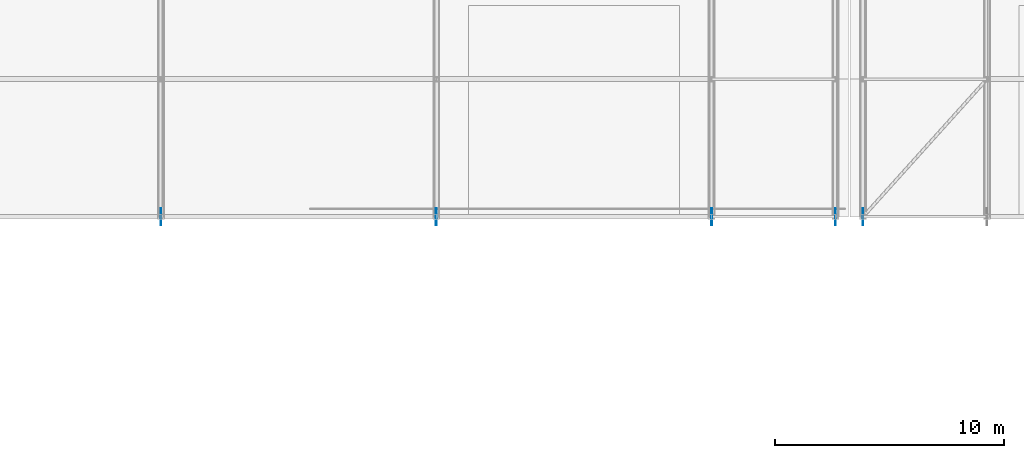
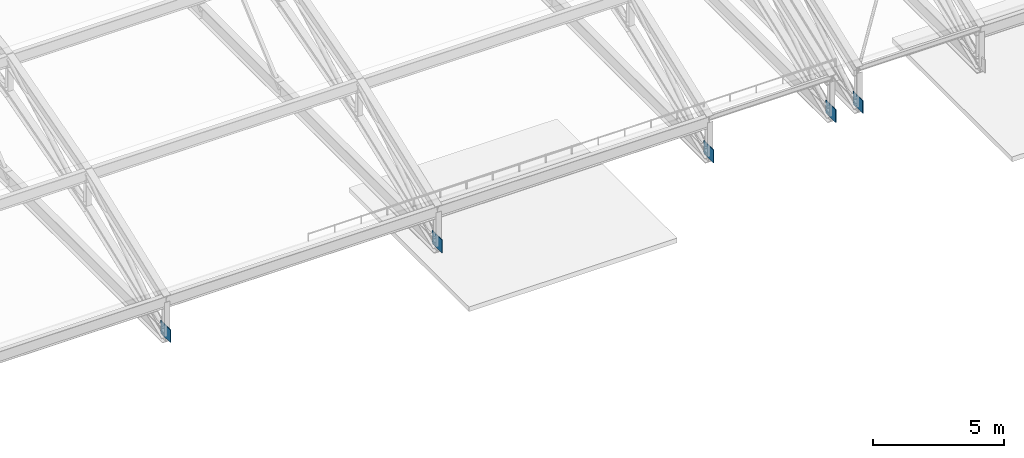
# One storey, part 177 of 204: 5 plates.
"""IFC4 building model written with IfcOpenShell, lengths in metres."""

from ifc_helpers import new_model, si_unit, direction, frame, origin, origin_2d, place, context, subcontext, project, spatial, rectangle, extrude, material, layer, layer_set, type_object, element, save


model = new_model("IFC4")

# Units and contexts
model_context = context("Model", 3, precision=1e-05, world=origin(), true_north=direction((0.0, 1.0)))
body_context = subcontext(model_context, "Body", "Model", "MODEL_VIEW")
ifc_project = project(units=[si_unit("LENGTHUNIT", "METRE"), si_unit("AREAUNIT", "SQUARE_METRE"), si_unit("VOLUMEUNIT", "CUBIC_METRE"), si_unit("PLANEANGLEUNIT", "RADIAN"), si_unit("MASSUNIT", "GRAM", prefix="KILO")], contexts=[model_context])

# Site, building, storey
site_placement = place(None, origin())
site = spatial("IfcSite", under=ifc_project, at=site_placement, CompositionType="ELEMENT")
building_placement = place(site_placement, origin())
building = spatial("IfcBuilding", under=site, at=building_placement, Name="Zilviju Railside Exhibition Hall", CompositionType="ELEMENT")
storey_placement = place(building_placement, frame((0.0, 0.0, 21.0)))
storey = spatial("IfcBuildingStorey", under=building, at=storey_placement, Name="RF", CompositionType="ELEMENT", Elevation=21.0)

# Plates
ifc_material = material(Name="Steel S355ML", Category="steel")
ifc_layer = layer(ifc_material, 0.034912109375)
ifc_layer_set = layer_set([ifc_layer], Name="Steel S355ML")
plate_type = type_object("IfcPlateType", Name="PLATE-GP-35", PredefinedType="SHEET", material=ifc_layer_set)
for number, where, z_axis, x_axis, name in (
    (1, (96.0, 84.0, -3.75), (0.0, 0.0, 1.0), (1.0, 0.0, 0.0), "V2 Arch Pin-Shoe Gusset Plate X=96.0"),
    (2, (108.0, 84.0, -3.75), (0.0, 0.0, 1.0), (1.0, 0.0, 0.0), "V2 Arch Pin-Shoe Gusset Plate X=108.0"),
    (3, (120.0, 84.0, -3.75), (0.0, 0.0, 1.0), (1.0, 0.0, 0.0), "V2 Arch Pin-Shoe Gusset Plate X=120.0"),
    (4, (125.39990234375, 84.0, -3.75), (0.0, 0.0, 1.0), (1.0, 0.0, 0.0), "V2 Arch Pin-Shoe Gusset Plate X=125.4"),
    (5, (126.60009765625, 84.0, -3.75), (0.0, 0.0, 1.0), (1.0, 0.0, 0.0), "V2 Arch Pin-Shoe Gusset Plate X=126.6"),
):
    element("IfcPlate", number, at=place(storey_placement, frame(where, z_axis=z_axis, x_axis=x_axis)), inside=storey, type_object=plate_type, Name=name, PredefinedType="SHEET", context=body_context, shape_type="SweptSolid", body=[
        extrude(rectangle(XDim=0.034912109375, YDim=0.75, at=origin_2d()), origin(), (0.0, 0.0, 1.0), 0.60009765625),
    ])

save(model, "model.ifc")
